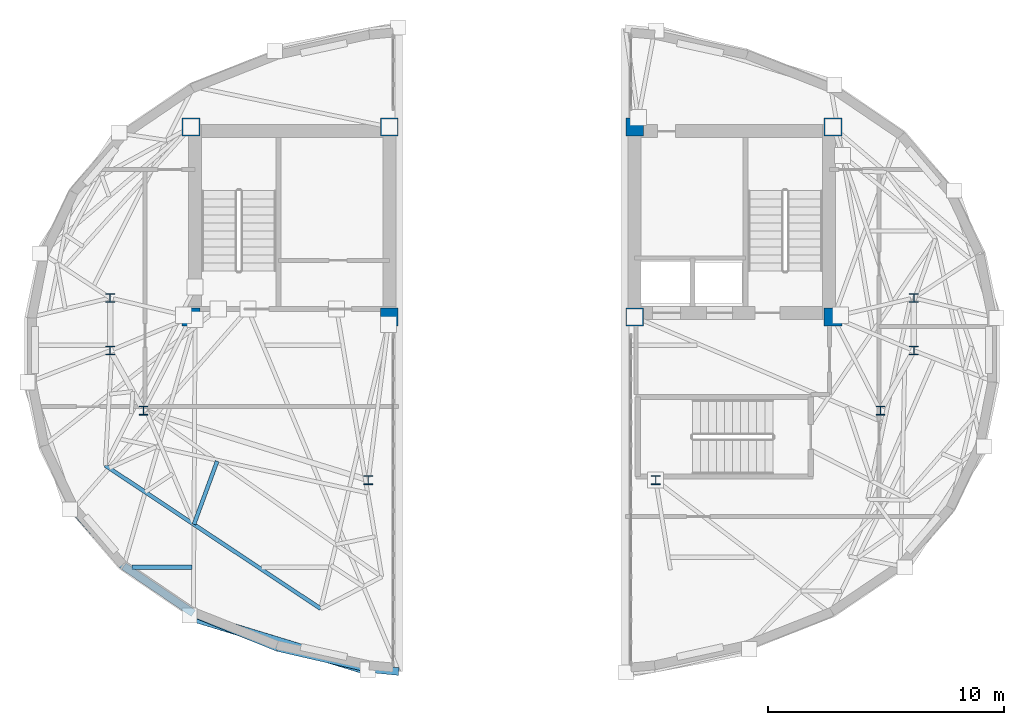
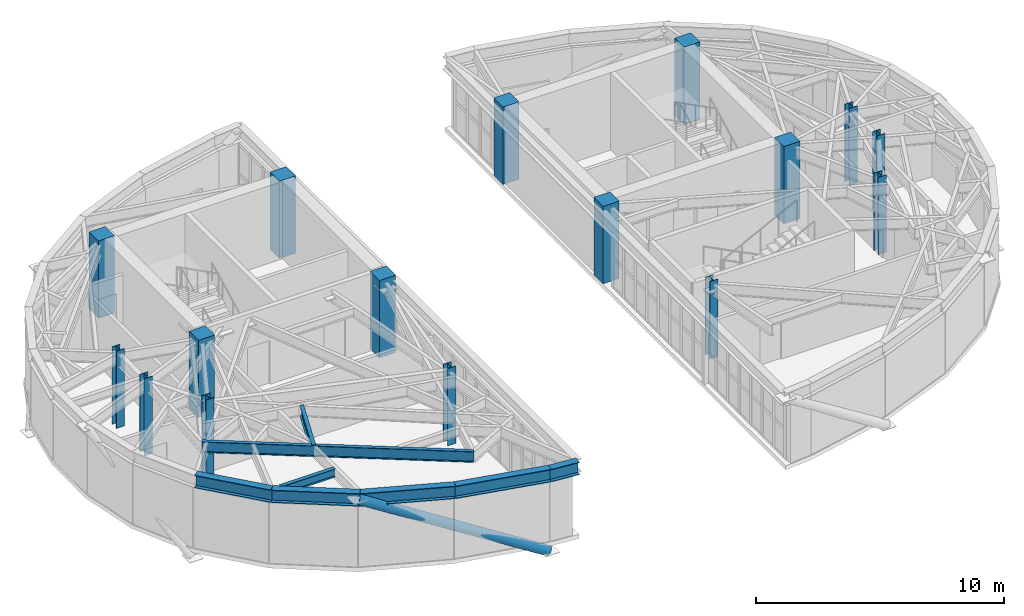
# One storey, part 1 of 13: 16 columns, 8 beams, 1 member.
"""IFC4 building model written with IfcOpenShell, lengths in metres."""

from ifc_helpers import new_model, si_unit, direction, frame, origin, origin_2d, place, context, subcontext, project, spatial, rectangle, hollow_circle, i_section, extrude, material, material_profile, profile_set, type_object, element, save


model = new_model("IFC4")

# Units and contexts
model_context = context("Model", 3, precision=1e-05, world=origin(), true_north=direction((0.0, 1.0)))
body_context = subcontext(model_context, "Body", "Model", "MODEL_VIEW")
ifc_project = project(units=[si_unit("LENGTHUNIT", "METRE"), si_unit("AREAUNIT", "SQUARE_METRE"), si_unit("VOLUMEUNIT", "CUBIC_METRE"), si_unit("PLANEANGLEUNIT", "RADIAN"), si_unit("MASSUNIT", "GRAM", prefix="KILO")], contexts=[model_context])

# Site, building, storey
site_placement = place(None, origin())
site = spatial("IfcSite", under=ifc_project, at=site_placement, CompositionType="ELEMENT")
building_placement = place(site_placement, origin())
building = spatial("IfcBuilding", under=site, at=building_placement, Name="Keldmark Tower", CompositionType="ELEMENT")
storey_placement = place(building_placement, frame((0.0, 0.0, 273.0)))
storey = spatial("IfcBuildingStorey", under=building, at=storey_placement, Name="L77", CompositionType="ELEMENT", Elevation=273.0)

# Columns
ifc_material_1 = material(Name="Concrete C50/60", Category="concrete")
ifc_material_profile_1 = material_profile(ifc_material_1, rectangle(XDim=0.75, YDim=0.75, at=origin_2d()), Name="RC750X750")
ifc_profile_set_1 = profile_set([ifc_material_profile_1], Name="Concrete C50/60")
column_type_1 = type_object("IfcColumnType", Name="Core Boundary Column RC750", PredefinedType="PILASTER", material=ifc_profile_set_1)
for number, where, z_axis, x_axis, name in (
    (1, (-13.60009765625, 1.39990234375, 0.0), (0.0, 0.0, 1.0), (1.0, 0.0, 0.0), "L77 Core Boundary Column CC-W1"),
    (2, (-13.60009765625, 9.449951171875, 0.0), (0.0, 0.0, 1.0), (1.0, 0.0, 0.0), "L77 Core Boundary Column CC-W2"),
    (3, (-5.199951171875, 1.39990234375, 0.0), (0.0, 0.0, 1.0), (1.0, 0.0, 0.0), "L77 Core Boundary Column CC-W3"),
    (4, (-5.199951171875, 9.449951171875, 0.0), (0.0, 0.0, 1.0), (1.0, 0.0, 0.0), "L77 Core Boundary Column CC-W4"),
    (5, (5.199951171875, 1.39990234375, 0.0), (0.0, 0.0, 1.0), (1.0, 0.0, 0.0), "L77 Core Boundary Column CC-E1"),
    (6, (5.199951171875, 9.449951171875, 0.0), (0.0, 0.0, 1.0), (1.0, 0.0, 0.0), "L77 Core Boundary Column CC-E2"),
    (7, (13.60009765625, 1.39990234375, 0.0), (0.0, 0.0, 1.0), (1.0, 0.0, 0.0), "L77 Core Boundary Column CC-E3"),
    (8, (13.60009765625, 9.449951171875, 0.0), (0.0, 0.0, 1.0), (1.0, 0.0, 0.0), "L77 Core Boundary Column CC-E4"),
):
    element("IfcColumn", number, at=place(storey_placement, frame(where, z_axis=z_axis, x_axis=x_axis)), inside=storey, type_object=column_type_1, Name=name, PredefinedType="PILASTER", context=body_context, shape_type="SweptSolid", body=[
        extrude(rectangle(XDim=0.75, YDim=0.75, at=origin_2d()), origin(), (0.0, 0.0, 1.0), 3.800048828125),
    ])
ifc_material_2 = material(Name="Steel ASTM A992 Grade 50", Category="steel")
ifc_material_profile_2 = material_profile(ifc_material_2, i_section(OverallWidth=0.3740234375, OverallDepth=0.3720703125, WebThickness=0.016357421875, FlangeThickness=0.026123046875, at=origin_2d()), Name="W14X132")
ifc_profile_set_2 = profile_set([ifc_material_profile_2], Name="Steel ASTM A992 Grade 50")
column_type_2 = type_object("IfcColumnType", Name="Tower Gravity Column W14X132", PredefinedType="COLUMN", material=ifc_profile_set_2)
for number, where, z_axis, x_axis, name in (
    (9, (17.025634765625, 2.2080078125, 0.0), (0.0, 0.0, 1.0), (1.0, 0.0, 0.0), "L77 Tower Gravity Column TC-E1"),
    (10, (-17.025634765625, 2.2080078125, 0.0), (0.0, 0.0, 1.0), (1.0, 0.0, 0.0), "L77 Tower Gravity Column TC-W1"),
    (11, (-17.025634765625, -0.02392578125, 0.0), (0.0, 0.0, 1.0), (1.0, 0.0, 0.0), "L77 Tower Gravity Column TC-W5"),
    (12, (-15.6162109375, -2.5673828125, 0.0), (0.0, 0.0, 1.0), (1.0, 0.0, 0.0), "L77 Tower Gravity Column TC-W2"),
    (13, (-6.089599609375, -5.512939453125, 0.0), (0.0, 0.0, 1.0), (1.0, 0.0, 0.0), "L77 Tower Gravity Column TC-W3"),
    (14, (6.089599609375, -5.512939453125, 0.0), (0.0, 0.0, 1.0), (1.0, 0.0, 0.0), "L77 Tower Gravity Column TC-E3"),
    (15, (15.6162109375, -2.5673828125, 0.0), (0.0, 0.0, 1.0), (1.0, 0.0, 0.0), "L77 Tower Gravity Column TC-E2"),
    (16, (17.025634765625, -0.02392578125, 0.0), (0.0, 0.0, 1.0), (1.0, 0.0, 0.0), "L77 Tower Gravity Column TC-E5"),
):
    element("IfcColumn", number, at=place(storey_placement, frame(where, z_axis=z_axis, x_axis=x_axis)), inside=storey, type_object=column_type_2, Name=name, PredefinedType="COLUMN", context=body_context, shape_type="SweptSolid", body=[
        extrude(i_section(OverallWidth=0.3740234375, OverallDepth=0.3720703125, WebThickness=0.016357421875, FlangeThickness=0.026123046875, at=origin_2d()), origin(), (0.0, 0.0, 1.0), 3.800048828125),
    ])

# Beam
ifc_material_3 = material(Name="Steel ASTM A992 Grade 50", Category="steel")
ifc_material_profile_3 = material_profile(ifc_material_3, i_section(OverallWidth=0.177978515625, OverallDepth=0.403076171875, WebThickness=0.007568359375, FlangeThickness=0.010986328125, at=origin_2d()), Name="W16X36")
ifc_profile_set_3 = profile_set([ifc_material_profile_3], Name="Steel ASTM A992 Grade 50")
beam_type_1 = type_object("IfcBeamType", Name="Composite Floor Joist W16X36", PredefinedType="JOIST", material=ifc_profile_set_3)
beam_1_placement = place(storey_placement, frame((-16.105712890625, -9.199951171875, 3.3984375), z_axis=(1.0, 0.0, 0.0), x_axis=(0.0, 1.0, 0.0)))
element("IfcBeam", 17, at=beam_1_placement, inside=storey, type_object=beam_type_1, Name="L77 Composite Floor Joist J04", PredefinedType="JOIST", context=body_context, shape_type="SweptSolid", body=[
    extrude(i_section(OverallWidth=0.177978515625, OverallDepth=0.403076171875, WebThickness=0.007568359375, FlangeThickness=0.010986328125, at=origin_2d()), origin(), (0.0, 0.0, 1.0), 2.54345703125),
])

# Member
ifc_material_4 = material(Name="Steel ASTM A572 Grade 50", Category="steel")
ifc_material_profile_4 = material_profile(ifc_material_4, hollow_circle(Radius=0.22509765625, WallThickness=0.02197265625, at=origin_2d()), Name="CHS450X22")
ifc_profile_set_4 = profile_set([ifc_material_profile_4], Name="Steel ASTM A572 Grade 50")
member_type = type_object("IfcMemberType", Name="Crown Frame Brace CHS450X22", PredefinedType="USERDEFINED", material=ifc_profile_set_4)
member_placement = place(storey_placement, frame((-6.11083984375, -13.546875, -0.449951171875), z_axis=(-0.862009425212, 0.26306236092, 0.433287370129), x_axis=(-0.291884229528, -0.956453656249, 0.0)))
element("IfcMember", 18, at=member_placement, inside=storey, type_object=member_type, Name="L77 Crown Frame Diagonal W00", ObjectType="CROWN FRAME", PredefinedType="USERDEFINED", context=body_context, shape_type="SweptSolid", body=[
    extrude(hollow_circle(Radius=0.22509765625, WallThickness=0.02197265625, at=origin_2d()), origin(), (0.0, 0.0, 1.0), 8.770263671875),
])

# Beams
ifc_material_5 = material(Name="Steel ASTM A992 Grade 50", Category="steel")
ifc_material_profile_5 = material_profile(ifc_material_5, i_section(OverallWidth=0.166015625, OverallDepth=0.529052734375, WebThickness=0.009765625, FlangeThickness=0.013671875, at=origin_2d()), Name="W21X50")
ifc_profile_set_5 = profile_set([ifc_material_profile_5], Name="Steel ASTM A992 Grade 50")
beam_type_2 = type_object("IfcBeamType", Name="Radial Tie Girder W21X50", PredefinedType="BEAM", material=ifc_profile_set_5)
beam_2_placement = place(storey_placement, frame((-17.235595703125, -4.890380859375, 3.33544921875), z_axis=(0.832775838683, -0.553610334537, 0.0), x_axis=(0.553610334537, 0.832775838683, 0.0)))
element("IfcBeam", 19, at=beam_2_placement, inside=storey, type_object=beam_type_2, Name="L77 Straddling Support Chord CRT-W03RB", PredefinedType="BEAM", context=body_context, shape_type="SweptSolid", body=[
    extrude(i_section(OverallWidth=0.166015625, OverallDepth=0.529052734375, WebThickness=0.009765625, FlangeThickness=0.013671875, at=origin_2d()), origin(), (0.0, 0.0, 1.0), 10.964111328125),
])
beam_3_placement = place(storey_placement, frame((-12.4921875, -4.708984375, 3.33544921875), z_axis=(-0.344762110365, -0.938690091168, 0.0), x_axis=(0.938690091168, -0.344762110365, 0.0)))
element("IfcBeam", 20, at=beam_3_placement, inside=storey, type_object=beam_type_2, Name="L77 Framing Pin Header PH-019", PredefinedType="BEAM", context=body_context, shape_type="SweptSolid", body=[
    extrude(i_section(OverallWidth=0.166015625, OverallDepth=0.529052734375, WebThickness=0.009765625, FlangeThickness=0.013671875, at=origin_2d()), origin(), (0.0, 0.0, 1.0), 2.855224609375),
])
ifc_material_6 = material(Name="Steel ASTM A992 Grade 50", Category="steel")
ifc_material_profile_6 = material_profile(ifc_material_6, i_section(OverallWidth=0.326904296875, OverallDepth=0.6220703125, WebThickness=0.015380859375, FlangeThickness=0.0244140625, at=origin_2d()), Name="W24X131")
ifc_profile_set_6 = profile_set([ifc_material_profile_6], Name="Steel ASTM A992 Grade 50")
beam_type_3 = type_object("IfcBeamType", Name="Spandrel Ring Beam W24X131", PredefinedType="SPANDREL", material=ifc_profile_set_6)
beam_4_placement = place(storey_placement, frame((-6.03759765625, -13.501220703125, 3.2890625), z_axis=(-0.974451914875, 0.224596227919, 0.0), x_axis=(-0.224596227919, -0.974451914875, 0.0)))
element("IfcBeam", 21, at=beam_4_placement, inside=storey, type_object=beam_type_3, Name="L77 Crown Spandrel Ring Beam CRB-W01", PredefinedType="SPANDREL", context=body_context, shape_type="SweptSolid", body=[
    extrude(i_section(OverallWidth=0.326904296875, OverallDepth=0.6220703125, WebThickness=0.015380859375, FlangeThickness=0.0244140625, at=origin_2d()), origin(), (0.0, 0.0, 1.0), 3.995849609375),
])
beam_5_placement = place(storey_placement, frame((-9.931396484375, -12.603759765625, 3.2890625), z_axis=(-0.926756575641, 0.375662414284, 0.0), x_axis=(-0.375662414284, -0.926756575641, 0.0)))
element("IfcBeam", 22, at=beam_5_placement, inside=storey, type_object=beam_type_3, Name="L77 Crown Spandrel Ring Beam CRB-W02", PredefinedType="SPANDREL", context=body_context, shape_type="SweptSolid", body=[
    extrude(i_section(OverallWidth=0.326904296875, OverallDepth=0.6220703125, WebThickness=0.015380859375, FlangeThickness=0.0244140625, at=origin_2d()), origin(), (0.0, 0.0, 1.0), 3.849365234375),
])
beam_6_placement = place(storey_placement, frame((-13.498779296875, -11.15771484375, 3.2890625), z_axis=(-0.827587148851, 0.561337252511, 0.0), x_axis=(-0.561337252511, -0.827587148851, 0.0)))
element("IfcBeam", 23, at=beam_6_placement, inside=storey, type_object=beam_type_3, Name="L77 Crown Spandrel Ring Beam CRB-W03", PredefinedType="SPANDREL", context=body_context, shape_type="SweptSolid", body=[
    extrude(i_section(OverallWidth=0.326904296875, OverallDepth=0.6220703125, WebThickness=0.015380859375, FlangeThickness=0.0244140625, at=origin_2d()), origin(), (0.0, 0.0, 1.0), 3.564208984375),
])
beam_7_placement = place(storey_placement, frame((-16.448486328125, -9.156982421875, 3.2890625), z_axis=(-0.660950367641, 0.750429617962, 0.0), x_axis=(-0.750429617962, -0.660950367641, 0.0)))
element("IfcBeam", 24, at=beam_7_placement, inside=storey, type_object=beam_type_3, Name="L77 Crown Spandrel Ring Beam CRB-W04", PredefinedType="SPANDREL", context=body_context, shape_type="SweptSolid", body=[
    extrude(i_section(OverallWidth=0.326904296875, OverallDepth=0.6220703125, WebThickness=0.015380859375, FlangeThickness=0.0244140625, at=origin_2d()), origin(), (0.0, 0.0, 1.0), 3.22509765625),
])
beam_8_placement = place(storey_placement, frame((-4.800048828125, -13.62353515625, 3.2890625), z_axis=(-0.995151211897, 0.098356827216, 0.0), x_axis=(-0.098356827216, -0.995151211897, 0.0)))
element("IfcBeam", 25, at=beam_8_placement, inside=storey, type_object=beam_type_3, Name="L77 Crown Spandrel Ring Beam CRB-W16", PredefinedType="SPANDREL", context=body_context, shape_type="SweptSolid", body=[
    extrude(i_section(OverallWidth=0.326904296875, OverallDepth=0.6220703125, WebThickness=0.015380859375, FlangeThickness=0.0244140625, at=origin_2d()), origin(), (0.0, 0.0, 1.0), 1.24365234375),
])

save(model, "model.ifc")
